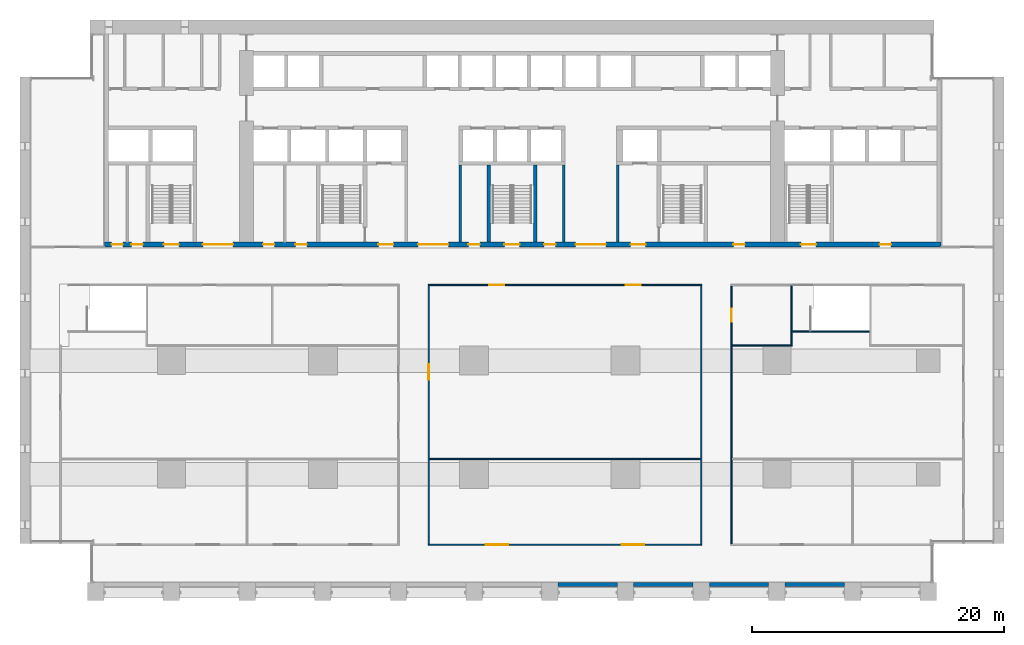
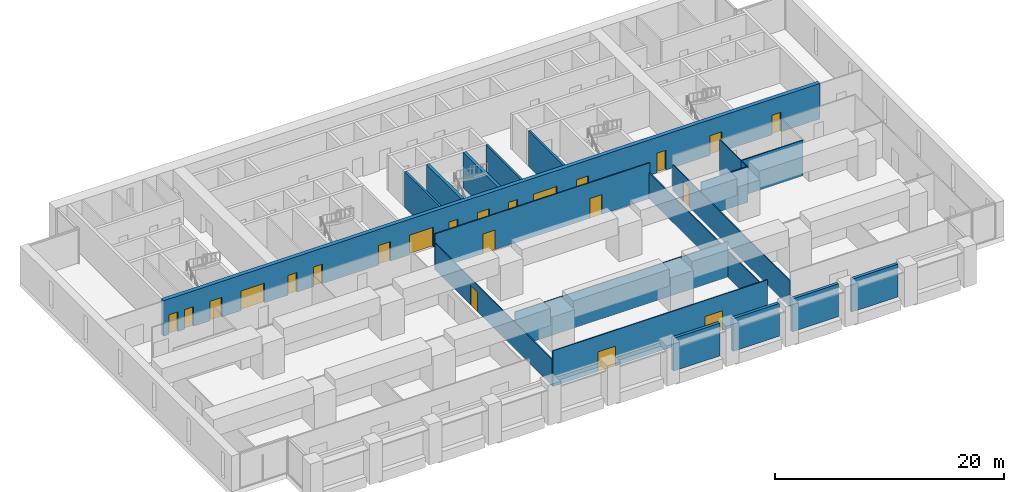
# One storey, part 8 of 17: 22 doors, 20 walls, 22 openings.
"""IFC4 building model written with IfcOpenShell, lengths in metres."""

from ifc_helpers import new_model, si_unit, direction, frame, frame_2d, origin, place, context, subcontext, project, spatial, rectangle, extrude, material, layer, layer_set, type_object, element, fill, save


model = new_model("IFC4")

# Units and contexts
model_context = context("Model", 3, precision=1e-05, world=origin(), true_north=direction((0.0, 1.0)))
body_context = subcontext(model_context, "Body", "Model", "MODEL_VIEW")
ifc_project = project(units=[si_unit("LENGTHUNIT", "METRE"), si_unit("AREAUNIT", "SQUARE_METRE"), si_unit("VOLUMEUNIT", "CUBIC_METRE"), si_unit("PLANEANGLEUNIT", "RADIAN"), si_unit("MASSUNIT", "GRAM", prefix="KILO")], contexts=[model_context])

# Site, building, storey
site_placement = place(None, origin())
site = spatial("IfcSite", under=ifc_project, at=site_placement, CompositionType="ELEMENT")
building_placement = place(site_placement, origin())
building = spatial("IfcBuilding", under=site, at=building_placement, Name="Calvaro Tower", CompositionType="ELEMENT")
storey_placement = place(building_placement, frame((0.0, 0.0, 17.89990234375)))
storey = spatial("IfcBuildingStorey", under=building, at=storey_placement, Name="L03", CompositionType="ELEMENT", Elevation=17.89990234375)

# Walls
ifc_material_1 = material(Name="Blockwork partition", Category="masonry")
ifc_layer_1 = layer(ifc_material_1, 0.199951171875)
ifc_layer_set_1 = layer_set([ifc_layer_1], Name="Blockwork partition")
wall_type_1 = type_object("IfcWallType", Name="Core partition 200 REI 120", PredefinedType="PARTITIONING", material=ifc_layer_set_1)
for number, where, z_axis, x_axis, name in (
    (1, (34.89990234375, 28.39990234375, 0.0), (0.0, 0.0, 1.0), (0.0, 1.0, 0.0), "Core partition"),
    (2, (43.10009765625, 28.39990234375, 0.0), (0.0, 0.0, 1.0), (0.0, 1.0, 0.0), "Core partition"),
    (3, (47.39990234375, 28.39990234375, 0.0), (0.0, 0.0, 1.0), (0.0, 1.0, 0.0), "Core partition"),
):
    element("IfcWall", number, at=place(storey_placement, frame(where, z_axis=z_axis, x_axis=x_axis)), inside=storey, type_object=wall_type_1, Name=name, PredefinedType="PARTITIONING", context=body_context, shape_type="SweptSolid", body=[
        extrude(rectangle(XDim=6.10009765625, YDim=0.199951171875, at=frame_2d((3.050048828125, 0.0))), origin(), (0.0, 0.0, 1.0), 3.800048828125),
    ])
ifc_material_2 = material(Name="Concrete C80/95", Category="concrete")
ifc_layer_2 = layer(ifc_material_2, 0.300048828125)
ifc_layer_set_2 = layer_set([ifc_layer_2], Name="Concrete C80/95")
wall_type_2 = type_object("IfcWallType", Name="Core wall C80/95 300", PredefinedType="SHEAR", material=ifc_layer_set_2)
for number, where, z_axis, x_axis, name in (
    (4, (37.14990234375, 28.39990234375, 0.0), (0.0, 0.0, 1.0), (0.0, 1.0, 0.0), "Core wall, stair enclosure"),
    (5, (40.85009765625, 28.39990234375, 0.0), (0.0, 0.0, 1.0), (0.0, 1.0, 0.0), "Core wall, stair enclosure"),
):
    element("IfcWall", number, at=place(storey_placement, frame(where, z_axis=z_axis, x_axis=x_axis)), inside=storey, type_object=wall_type_2, Name=name, PredefinedType="SHEAR", context=body_context, shape_type="SweptSolid", body=[
        extrude(rectangle(XDim=6.10009765625, YDim=0.300048828125, at=frame_2d((3.050048828125, 0.0))), origin(), (0.0, 0.0, 1.0), 3.800048828125),
    ])

# Wall, openings, doors
ifc_material_3 = material(Name="Concrete C80/95", Category="concrete")
ifc_layer_3 = layer(ifc_material_3, 0.39990234375)
ifc_layer_set_3 = layer_set([ifc_layer_3], Name="Concrete C80/95")
wall_type_3 = type_object("IfcWallType", Name="Core wall C80/95 400", PredefinedType="SHEAR", material=ifc_layer_set_3)
wall_1_placement = place(storey_placement, frame((6.699951171875, 28.199951171875, 0.0), z_axis=(0.0, 0.0, 1.0), x_axis=(1.0, 0.0, 0.0)))
wall_1 = element("IfcWall", 6, at=wall_1_placement, inside=storey, type_object=wall_type_3, Name="Core wall, front", PredefinedType="SHEAR", context=body_context, shape_type="SweptSolid", body=[
    extrude(rectangle(XDim=66.300048828125, YDim=0.39990234375, at=frame_2d((33.14990234375, 0.0))), origin(), (0.0, 0.0, 1.0), 3.800048828125),
])
opening_1_placement = place(wall_1_placement, frame((12.5625, 0.0, 0.0)))
opening_1 = element("IfcOpeningElement", 7, at=opening_1_placement, cuts=wall_1, Name="Opening RD9E", PredefinedType="OPENING", context=body_context, shape_type="SweptSolid", body=[
    extrude(rectangle(XDim=0.89990234375, YDim=2.10009765625, at=frame_2d((0.449951171875, 1.050048828125))), frame((0.0, 0.2099609375, 0.0), z_axis=(0.0, -1.0, 0.0), x_axis=(1.0, 0.0, 0.0)), (0.0, 0.0, 1.0), 0.419921875),
])
opening_2_placement = place(wall_1_placement, frame((15.137451171875, 0.0, 0.0)))
opening_2 = element("IfcOpeningElement", 8, at=opening_2_placement, cuts=wall_1, Name="Opening RD9C", PredefinedType="OPENING", context=body_context, shape_type="SweptSolid", body=[
    extrude(rectangle(XDim=0.89990234375, YDim=2.10009765625, at=frame_2d((0.449951171875, 1.050048828125))), frame((0.0, 0.2099609375, 0.0), z_axis=(0.0, -1.0, 0.0), x_axis=(1.0, 0.0, 0.0)), (0.0, 0.0, 1.0), 0.419921875),
])
opening_3_placement = place(wall_1_placement, frame((49.85009765625, 0.0, 0.0)))
opening_3 = element("IfcOpeningElement", 9, at=opening_3_placement, cuts=wall_1, Name="Opening RD9E", PredefinedType="OPENING", context=body_context, shape_type="SweptSolid", body=[
    extrude(rectangle(XDim=0.89990234375, YDim=2.10009765625, at=frame_2d((0.449951171875, 1.050048828125))), frame((0.0, 0.2099609375, 0.0), z_axis=(0.0, -1.0, 0.0), x_axis=(1.0, 0.0, 0.0)), (0.0, 0.0, 1.0), 0.419921875),
])
opening_4_placement = place(wall_1_placement, frame((0.5625, 0.0, 0.0)))
opening_4 = element("IfcOpeningElement", 10, at=opening_4_placement, cuts=wall_1, Name="Opening RD9C", PredefinedType="OPENING", context=body_context, shape_type="SweptSolid", body=[
    extrude(rectangle(XDim=0.89990234375, YDim=2.10009765625, at=frame_2d((0.449951171875, 1.050048828125))), frame((0.0, 0.2099609375, 0.0), z_axis=(0.0, -1.0, 0.0), x_axis=(1.0, 0.0, 0.0)), (0.0, 0.0, 1.0), 0.419921875),
])
opening_5_placement = place(wall_1_placement, frame((2.137451171875, 0.0, 0.0)))
opening_5 = element("IfcOpeningElement", 11, at=opening_5_placement, cuts=wall_1, Name="Opening RD9E", PredefinedType="OPENING", context=body_context, shape_type="SweptSolid", body=[
    extrude(rectangle(XDim=0.89990234375, YDim=2.10009765625, at=frame_2d((0.449951171875, 1.050048828125))), frame((0.0, 0.2099609375, 0.0), z_axis=(0.0, -1.0, 0.0), x_axis=(1.0, 0.0, 0.0)), (0.0, 0.0, 1.0), 0.419921875),
])
opening_6_placement = place(wall_1_placement, frame((61.449951171875, 0.0, 0.0)))
opening_6 = element("IfcOpeningElement", 12, at=opening_6_placement, cuts=wall_1, Name="Opening RD9C", PredefinedType="OPENING", context=body_context, shape_type="SweptSolid", body=[
    extrude(rectangle(XDim=0.89990234375, YDim=2.10009765625, at=frame_2d((0.449951171875, 1.050048828125))), frame((0.0, 0.2099609375, 0.0), z_axis=(0.0, -1.0, 0.0), x_axis=(1.0, 0.0, 0.0)), (0.0, 0.0, 1.0), 0.419921875),
])
opening_7_placement = place(wall_1_placement, frame((4.699951171875, 0.0, 0.0)))
opening_7 = element("IfcOpeningElement", 13, at=opening_7_placement, cuts=wall_1, Name="Opening SD12D", PredefinedType="OPENING", context=body_context, shape_type="SweptSolid", body=[
    extrude(rectangle(XDim=1.199951171875, YDim=2.10009765625, at=frame_2d((0.60009765625, 1.050048828125))), frame((0.0, 0.2099609375, 0.0), z_axis=(0.0, -1.0, 0.0), x_axis=(1.0, 0.0, 0.0)), (0.0, 0.0, 1.0), 0.419921875),
])
opening_8_placement = place(wall_1_placement, frame((31.699951171875, 0.0, 0.0)))
opening_8 = element("IfcOpeningElement", 14, at=opening_8_placement, cuts=wall_1, Name="Opening SD12D", PredefinedType="OPENING", context=body_context, shape_type="SweptSolid", body=[
    extrude(rectangle(XDim=1.199951171875, YDim=2.10009765625, at=frame_2d((0.60009765625, 1.050048828125))), frame((0.0, 0.2099609375, 0.0), z_axis=(0.0, -1.0, 0.0), x_axis=(1.0, 0.0, 0.0)), (0.0, 0.0, 1.0), 0.419921875),
])
opening_9_placement = place(wall_1_placement, frame((55.199951171875, 0.0, 0.0)))
opening_9 = element("IfcOpeningElement", 15, at=opening_9_placement, cuts=wall_1, Name="Opening SD12D", PredefinedType="OPENING", context=body_context, shape_type="SweptSolid", body=[
    extrude(rectangle(XDim=1.199951171875, YDim=2.10009765625, at=frame_2d((0.60009765625, 1.050048828125))), frame((0.0, 0.2099609375, 0.0), z_axis=(0.0, -1.0, 0.0), x_axis=(1.0, 0.0, 0.0)), (0.0, 0.0, 1.0), 0.419921875),
])
opening_10_placement = place(wall_1_placement, frame((21.699951171875, 0.0, 0.0)))
opening_10 = element("IfcOpeningElement", 16, at=opening_10_placement, cuts=wall_1, Name="Opening FD12F", PredefinedType="OPENING", context=body_context, shape_type="SweptSolid", body=[
    extrude(rectangle(XDim=1.199951171875, YDim=2.10009765625, at=frame_2d((0.60009765625, 1.050048828125))), frame((0.0, 0.2099609375, 0.0), z_axis=(0.0, -1.0, 0.0), x_axis=(1.0, 0.0, 0.0)), (0.0, 0.0, 1.0), 0.419921875),
])
opening_11_placement = place(wall_1_placement, frame((41.699951171875, 0.0, 0.0)))
opening_11 = element("IfcOpeningElement", 17, at=opening_11_placement, cuts=wall_1, Name="Opening FD12F", PredefinedType="OPENING", context=body_context, shape_type="SweptSolid", body=[
    extrude(rectangle(XDim=1.199951171875, YDim=2.10009765625, at=frame_2d((0.60009765625, 1.050048828125))), frame((0.0, 0.2099609375, 0.0), z_axis=(0.0, -1.0, 0.0), x_axis=(1.0, 0.0, 0.0)), (0.0, 0.0, 1.0), 0.419921875),
])
opening_12_placement = place(wall_1_placement, frame((24.85009765625, 0.0, 0.0)))
opening_12 = element("IfcOpeningElement", 18, at=opening_12_placement, cuts=wall_1, Name="Opening DD24D", PredefinedType="OPENING", context=body_context, shape_type="SweptSolid", body=[
    extrude(rectangle(XDim=2.39990234375, YDim=2.10009765625, at=frame_2d((1.199951171875, 1.050048828125))), frame((0.0, 0.2099609375, 0.0), z_axis=(0.0, -1.0, 0.0), x_axis=(1.0, 0.0, 0.0)), (0.0, 0.0, 1.0), 0.419921875),
])
opening_13_placement = place(wall_1_placement, frame((37.35009765625, 0.0, 0.0)))
opening_13 = element("IfcOpeningElement", 19, at=opening_13_placement, cuts=wall_1, Name="Opening DD24D", PredefinedType="OPENING", context=body_context, shape_type="SweptSolid", body=[
    extrude(rectangle(XDim=2.39990234375, YDim=2.10009765625, at=frame_2d((1.199951171875, 1.050048828125))), frame((0.0, 0.2099609375, 0.0), z_axis=(0.0, -1.0, 0.0), x_axis=(1.0, 0.0, 0.0)), (0.0, 0.0, 1.0), 0.419921875),
])
opening_14_placement = place(wall_1_placement, frame((7.800048828125, 0.0, 0.0)))
opening_14 = element("IfcOpeningElement", 20, at=opening_14_placement, cuts=wall_1, Name="Opening DD24D", PredefinedType="OPENING", context=body_context, shape_type="SweptSolid", body=[
    extrude(rectangle(XDim=2.39990234375, YDim=2.10009765625, at=frame_2d((1.199951171875, 1.050048828125))), frame((0.0, 0.2099609375, 0.0), z_axis=(0.0, -1.0, 0.0), x_axis=(1.0, 0.0, 0.0)), (0.0, 0.0, 1.0), 0.419921875),
])
opening_15_placement = place(wall_1_placement, frame((28.85009765625, 0.0, 0.0)))
opening_15 = element("IfcOpeningElement", 21, at=opening_15_placement, cuts=wall_1, Name="Opening RD9E", PredefinedType="OPENING", context=body_context, shape_type="SweptSolid", body=[
    extrude(rectangle(XDim=0.89990234375, YDim=2.10009765625, at=frame_2d((0.449951171875, 1.050048828125))), frame((0.0, 0.2099609375, 0.0), z_axis=(0.0, -1.0, 0.0), x_axis=(1.0, 0.0, 0.0)), (0.0, 0.0, 1.0), 0.419921875),
])
opening_16_placement = place(wall_1_placement, frame((34.85009765625, 0.0, 0.0)))
opening_16 = element("IfcOpeningElement", 22, at=opening_16_placement, cuts=wall_1, Name="Opening RD9E", PredefinedType="OPENING", context=body_context, shape_type="SweptSolid", body=[
    extrude(rectangle(XDim=0.89990234375, YDim=2.10009765625, at=frame_2d((0.449951171875, 1.050048828125))), frame((0.0, 0.2099609375, 0.0), z_axis=(0.0, -1.0, 0.0), x_axis=(1.0, 0.0, 0.0)), (0.0, 0.0, 1.0), 0.419921875),
])
ifc_material_4 = material(Name="Steel door set", Category="steel")
door_type_1 = type_object("IfcDoorType", Name="Fire door 1200 FD60S", OperationType="SINGLE_SWING_LEFT", PredefinedType="DOOR", material=ifc_material_4)
door_1_placement = place(opening_10_placement, origin())
door_1 = element("IfcDoor", 23, at=door_1_placement, inside=storey, type_object=door_type_1, Name="Fire door", OperationType="SINGLE_SWING_LEFT", OverallHeight=2.10009765625, OverallWidth=1.199951171875, PredefinedType="DOOR", context=body_context, shape_type="SweptSolid", body=[
    extrude(rectangle(XDim=1.199951171875, YDim=2.10009765625, at=frame_2d((0.60009765625, 1.050048828125))), frame((0.0, 0.02490234375, 0.0), z_axis=(0.0, -1.0, 0.0), x_axis=(1.0, 0.0, 0.0)), (0.0, 0.0, 1.0), 0.050048828125),
])
fill(opening_10, door_1)
door_2_placement = place(opening_11_placement, origin())
door_2 = element("IfcDoor", 24, at=door_2_placement, inside=storey, type_object=door_type_1, Name="Fire door", OperationType="SINGLE_SWING_LEFT", OverallHeight=2.10009765625, OverallWidth=1.199951171875, PredefinedType="DOOR", context=body_context, shape_type="SweptSolid", body=[
    extrude(rectangle(XDim=1.199951171875, YDim=2.10009765625, at=frame_2d((0.60009765625, 1.050048828125))), frame((0.0, 0.02490234375, 0.0), z_axis=(0.0, -1.0, 0.0), x_axis=(1.0, 0.0, 0.0)), (0.0, 0.0, 1.0), 0.050048828125),
])
fill(opening_11, door_2)
ifc_material_5 = material(Name="Steel door set", Category="steel")
door_type_2 = type_object("IfcDoorType", Name="Lobby double door 2400 FD30S", OperationType="DOUBLE_DOOR_SINGLE_SWING", PredefinedType="DOOR", material=ifc_material_5)
door_3_placement = place(opening_12_placement, origin())
door_3 = element("IfcDoor", 25, at=door_3_placement, inside=storey, type_object=door_type_2, Name="Lobby double door", OperationType="DOUBLE_DOOR_SINGLE_SWING", OverallHeight=2.10009765625, OverallWidth=2.39990234375, PredefinedType="DOOR", context=body_context, shape_type="SweptSolid", body=[
    extrude(rectangle(XDim=2.39990234375, YDim=2.10009765625, at=frame_2d((1.199951171875, 1.050048828125))), frame((0.0, 0.02490234375, 0.0), z_axis=(0.0, -1.0, 0.0), x_axis=(1.0, 0.0, 0.0)), (0.0, 0.0, 1.0), 0.050048828125),
])
fill(opening_12, door_3)
door_4_placement = place(opening_13_placement, origin())
door_4 = element("IfcDoor", 26, at=door_4_placement, inside=storey, type_object=door_type_2, Name="Lobby double door", OperationType="DOUBLE_DOOR_SINGLE_SWING", OverallHeight=2.10009765625, OverallWidth=2.39990234375, PredefinedType="DOOR", context=body_context, shape_type="SweptSolid", body=[
    extrude(rectangle(XDim=2.39990234375, YDim=2.10009765625, at=frame_2d((1.199951171875, 1.050048828125))), frame((0.0, 0.02490234375, 0.0), z_axis=(0.0, -1.0, 0.0), x_axis=(1.0, 0.0, 0.0)), (0.0, 0.0, 1.0), 0.050048828125),
])
fill(opening_13, door_4)
door_5_placement = place(opening_14_placement, origin())
door_5 = element("IfcDoor", 27, at=door_5_placement, inside=storey, type_object=door_type_2, Name="Lobby double door", OperationType="DOUBLE_DOOR_SINGLE_SWING", OverallHeight=2.10009765625, OverallWidth=2.39990234375, PredefinedType="DOOR", context=body_context, shape_type="SweptSolid", body=[
    extrude(rectangle(XDim=2.39990234375, YDim=2.10009765625, at=frame_2d((1.199951171875, 1.050048828125))), frame((0.0, 0.02490234375, 0.0), z_axis=(0.0, -1.0, 0.0), x_axis=(1.0, 0.0, 0.0)), (0.0, 0.0, 1.0), 0.050048828125),
])
fill(opening_14, door_5)
ifc_material_6 = material(Name="Steel door set", Category="steel")
door_type_3 = type_object("IfcDoorType", Name="Room door 900 FD30", OperationType="SINGLE_SWING_LEFT", PredefinedType="DOOR", material=ifc_material_6)
door_6_placement = place(opening_2_placement, origin())
door_6 = element("IfcDoor", 28, at=door_6_placement, inside=storey, type_object=door_type_3, Name="Room door", OperationType="SINGLE_SWING_RIGHT", OverallHeight=2.10009765625, OverallWidth=0.89990234375, PredefinedType="DOOR", context=body_context, shape_type="SweptSolid", body=[
    extrude(rectangle(XDim=0.89990234375, YDim=2.10009765625, at=frame_2d((0.449951171875, 1.050048828125))), frame((0.0, 0.02490234375, 0.0), z_axis=(0.0, -1.0, 0.0), x_axis=(1.0, 0.0, 0.0)), (0.0, 0.0, 1.0), 0.050048828125),
])
fill(opening_2, door_6)
door_7_placement = place(opening_4_placement, origin())
door_7 = element("IfcDoor", 29, at=door_7_placement, inside=storey, type_object=door_type_3, Name="Room door", OperationType="SINGLE_SWING_LEFT", OverallHeight=2.10009765625, OverallWidth=0.89990234375, PredefinedType="DOOR", context=body_context, shape_type="SweptSolid", body=[
    extrude(rectangle(XDim=0.89990234375, YDim=2.10009765625, at=frame_2d((0.449951171875, 1.050048828125))), frame((0.0, 0.02490234375, 0.0), z_axis=(0.0, -1.0, 0.0), x_axis=(1.0, 0.0, 0.0)), (0.0, 0.0, 1.0), 0.050048828125),
])
fill(opening_4, door_7)
door_8_placement = place(opening_6_placement, origin())
door_8 = element("IfcDoor", 30, at=door_8_placement, inside=storey, type_object=door_type_3, Name="Room door", OperationType="SINGLE_SWING_LEFT", OverallHeight=2.10009765625, OverallWidth=0.89990234375, PredefinedType="DOOR", context=body_context, shape_type="SweptSolid", body=[
    extrude(rectangle(XDim=0.89990234375, YDim=2.10009765625, at=frame_2d((0.449951171875, 1.050048828125))), frame((0.0, 0.02490234375, 0.0), z_axis=(0.0, -1.0, 0.0), x_axis=(1.0, 0.0, 0.0)), (0.0, 0.0, 1.0), 0.050048828125),
])
fill(opening_6, door_8)
ifc_material_7 = material(Name="Steel door set", Category="steel")
door_type_4 = type_object("IfcDoorType", Name="Room door 900 FD60", OperationType="SINGLE_SWING_LEFT", PredefinedType="DOOR", material=ifc_material_7)
door_9_placement = place(opening_1_placement, origin())
door_9 = element("IfcDoor", 31, at=door_9_placement, inside=storey, type_object=door_type_4, Name="Room door", OperationType="SINGLE_SWING_LEFT", OverallHeight=2.10009765625, OverallWidth=0.89990234375, PredefinedType="DOOR", context=body_context, shape_type="SweptSolid", body=[
    extrude(rectangle(XDim=0.89990234375, YDim=2.10009765625, at=frame_2d((0.449951171875, 1.050048828125))), frame((0.0, 0.02490234375, 0.0), z_axis=(0.0, -1.0, 0.0), x_axis=(1.0, 0.0, 0.0)), (0.0, 0.0, 1.0), 0.050048828125),
])
fill(opening_1, door_9)
door_10_placement = place(opening_3_placement, origin())
door_10 = element("IfcDoor", 32, at=door_10_placement, inside=storey, type_object=door_type_4, Name="Room door", OperationType="SINGLE_SWING_LEFT", OverallHeight=2.10009765625, OverallWidth=0.89990234375, PredefinedType="DOOR", context=body_context, shape_type="SweptSolid", body=[
    extrude(rectangle(XDim=0.89990234375, YDim=2.10009765625, at=frame_2d((0.449951171875, 1.050048828125))), frame((0.0, 0.02490234375, 0.0), z_axis=(0.0, -1.0, 0.0), x_axis=(1.0, 0.0, 0.0)), (0.0, 0.0, 1.0), 0.050048828125),
])
fill(opening_3, door_10)
door_11_placement = place(opening_5_placement, origin())
door_11 = element("IfcDoor", 33, at=door_11_placement, inside=storey, type_object=door_type_4, Name="Room door", OperationType="SINGLE_SWING_LEFT", OverallHeight=2.10009765625, OverallWidth=0.89990234375, PredefinedType="DOOR", context=body_context, shape_type="SweptSolid", body=[
    extrude(rectangle(XDim=0.89990234375, YDim=2.10009765625, at=frame_2d((0.449951171875, 1.050048828125))), frame((0.0, 0.02490234375, 0.0), z_axis=(0.0, -1.0, 0.0), x_axis=(1.0, 0.0, 0.0)), (0.0, 0.0, 1.0), 0.050048828125),
])
fill(opening_5, door_11)
door_12_placement = place(opening_15_placement, origin())
door_12 = element("IfcDoor", 34, at=door_12_placement, inside=storey, type_object=door_type_4, Name="Room door", OperationType="SINGLE_SWING_LEFT", OverallHeight=2.10009765625, OverallWidth=0.89990234375, PredefinedType="DOOR", context=body_context, shape_type="SweptSolid", body=[
    extrude(rectangle(XDim=0.89990234375, YDim=2.10009765625, at=frame_2d((0.449951171875, 1.050048828125))), frame((0.0, 0.02490234375, 0.0), z_axis=(0.0, -1.0, 0.0), x_axis=(1.0, 0.0, 0.0)), (0.0, 0.0, 1.0), 0.050048828125),
])
fill(opening_15, door_12)
door_13_placement = place(opening_16_placement, origin())
door_13 = element("IfcDoor", 35, at=door_13_placement, inside=storey, type_object=door_type_4, Name="Room door", OperationType="SINGLE_SWING_LEFT", OverallHeight=2.10009765625, OverallWidth=0.89990234375, PredefinedType="DOOR", context=body_context, shape_type="SweptSolid", body=[
    extrude(rectangle(XDim=0.89990234375, YDim=2.10009765625, at=frame_2d((0.449951171875, 1.050048828125))), frame((0.0, 0.02490234375, 0.0), z_axis=(0.0, -1.0, 0.0), x_axis=(1.0, 0.0, 0.0)), (0.0, 0.0, 1.0), 0.050048828125),
])
fill(opening_16, door_13)
ifc_material_8 = material(Name="Steel door set", Category="steel")
door_type_5 = type_object("IfcDoorType", Name="Stair door 1200 FD30S", OperationType="SINGLE_SWING_LEFT", PredefinedType="DOOR", material=ifc_material_8)
door_14_placement = place(opening_7_placement, origin())
door_14 = element("IfcDoor", 36, at=door_14_placement, inside=storey, type_object=door_type_5, Name="Stair door", OperationType="SINGLE_SWING_LEFT", OverallHeight=2.10009765625, OverallWidth=1.199951171875, PredefinedType="DOOR", context=body_context, shape_type="SweptSolid", body=[
    extrude(rectangle(XDim=1.199951171875, YDim=2.10009765625, at=frame_2d((0.60009765625, 1.050048828125))), frame((0.0, 0.02490234375, 0.0), z_axis=(0.0, -1.0, 0.0), x_axis=(1.0, 0.0, 0.0)), (0.0, 0.0, 1.0), 0.050048828125),
])
fill(opening_7, door_14)
door_15_placement = place(opening_8_placement, origin())
door_15 = element("IfcDoor", 37, at=door_15_placement, inside=storey, type_object=door_type_5, Name="Stair door", OperationType="SINGLE_SWING_LEFT", OverallHeight=2.10009765625, OverallWidth=1.199951171875, PredefinedType="DOOR", context=body_context, shape_type="SweptSolid", body=[
    extrude(rectangle(XDim=1.199951171875, YDim=2.10009765625, at=frame_2d((0.60009765625, 1.050048828125))), frame((0.0, 0.02490234375, 0.0), z_axis=(0.0, -1.0, 0.0), x_axis=(1.0, 0.0, 0.0)), (0.0, 0.0, 1.0), 0.050048828125),
])
fill(opening_8, door_15)
door_16_placement = place(opening_9_placement, origin())
door_16 = element("IfcDoor", 38, at=door_16_placement, inside=storey, type_object=door_type_5, Name="Stair door", OperationType="SINGLE_SWING_LEFT", OverallHeight=2.10009765625, OverallWidth=1.199951171875, PredefinedType="DOOR", context=body_context, shape_type="SweptSolid", body=[
    extrude(rectangle(XDim=1.199951171875, YDim=2.10009765625, at=frame_2d((0.60009765625, 1.050048828125))), frame((0.0, 0.02490234375, 0.0), z_axis=(0.0, -1.0, 0.0), x_axis=(1.0, 0.0, 0.0)), (0.0, 0.0, 1.0), 0.050048828125),
])
fill(opening_9, door_16)

ifc_material_9 = material(Name="Plasterboard on steel studs", Category="steel")
ifc_layer_4 = layer(ifc_material_9, 0.10009765625)
ifc_layer_set_4 = layer_set([ifc_layer_4], Name="Plasterboard on steel studs")
wall_type_4 = type_object("IfcWallType", Name="Partition 100", PredefinedType="PARTITIONING", material=ifc_layer_set_4)
wall_2_placement = place(storey_placement, frame((32.35009765625, 4.39990234375, 0.0), z_axis=(0.0, 0.0, 1.0), x_axis=(1.0, 0.0, 0.0)))
wall_2 = element("IfcWall", 39, at=wall_2_placement, inside=storey, type_object=wall_type_4, Name="Partition T06.W002", PredefinedType="PARTITIONING", context=body_context, shape_type="SweptSolid", body=[
    extrude(rectangle(XDim=21.699951171875, YDim=0.10009765625, at=frame_2d((10.85009765625, 0.0))), origin(), (0.0, 0.0, 1.0), 3.800048828125),
])
opening_17_placement = place(wall_2_placement, frame((4.550048828125, 0.0, 0.0)))
opening_17 = element("IfcOpeningElement", 40, at=opening_17_placement, cuts=wall_2, Name="Opening T06.005", PredefinedType="OPENING", context=body_context, shape_type="SweptSolid", body=[
    extrude(rectangle(XDim=1.800048828125, YDim=2.10009765625, at=frame_2d((0.89990234375, 1.050048828125))), frame((0.0, 0.06005859375, 0.0), z_axis=(0.0, -1.0, 0.0), x_axis=(1.0, 0.0, 0.0)), (0.0, 0.0, 1.0), 0.1201171875),
])
opening_18_placement = place(wall_2_placement, frame((15.35009765625, 0.0, 0.0)))
opening_18 = element("IfcOpeningElement", 41, at=opening_18_placement, cuts=wall_2, Name="Opening T06.006", PredefinedType="OPENING", context=body_context, shape_type="SweptSolid", body=[
    extrude(rectangle(XDim=1.800048828125, YDim=2.10009765625, at=frame_2d((0.89990234375, 1.050048828125))), frame((0.0, 0.06005859375, 0.0), z_axis=(0.0, -1.0, 0.0), x_axis=(1.0, 0.0, 0.0)), (0.0, 0.0, 1.0), 0.1201171875),
])
ifc_material_10 = material(Name="Timber", Category="wood")
door_type_6 = type_object("IfcDoorType", Name="Internal double door 1800 x 2100", OperationType="DOUBLE_DOOR_SINGLE_SWING", PredefinedType="DOOR", material=ifc_material_10)
door_17_placement = place(opening_17_placement, origin())
door_17 = element("IfcDoor", 42, at=door_17_placement, inside=storey, type_object=door_type_6, Name="Door T06.005", OperationType="DOUBLE_DOOR_SINGLE_SWING", OverallHeight=2.10009765625, OverallWidth=1.800048828125, PredefinedType="DOOR", context=body_context, shape_type="SweptSolid", body=[
    extrude(rectangle(XDim=1.800048828125, YDim=2.10009765625, at=frame_2d((0.89990234375, 1.050048828125))), frame((0.0, 0.02490234375, 0.0), z_axis=(0.0, -1.0, 0.0), x_axis=(1.0, 0.0, 0.0)), (0.0, 0.0, 1.0), 0.050048828125),
])
fill(opening_17, door_17)
door_18_placement = place(opening_18_placement, origin())
door_18 = element("IfcDoor", 43, at=door_18_placement, inside=storey, type_object=door_type_6, Name="Door T06.006", OperationType="DOUBLE_DOOR_SINGLE_SWING", OverallHeight=2.10009765625, OverallWidth=1.800048828125, PredefinedType="DOOR", context=body_context, shape_type="SweptSolid", body=[
    extrude(rectangle(XDim=1.800048828125, YDim=2.10009765625, at=frame_2d((0.89990234375, 1.050048828125))), frame((0.0, 0.02490234375, 0.0), z_axis=(0.0, -1.0, 0.0), x_axis=(1.0, 0.0, 0.0)), (0.0, 0.0, 1.0), 0.050048828125),
])
fill(opening_18, door_18)

# Walls
wall_3_placement = place(storey_placement, frame((32.449951171875, 11.199951171875, 0.0), z_axis=(0.0, 0.0, 1.0), x_axis=(1.0, 0.0, 0.0)))
element("IfcWall", 44, at=wall_3_placement, inside=storey, type_object=wall_type_4, Name="Partition T06.W005", PredefinedType="PARTITIONING", context=body_context, shape_type="SweptSolid", body=[
    extrude(rectangle(XDim=21.5, YDim=0.10009765625, at=frame_2d((10.75, 0.0))), origin(), (0.0, 0.0, 1.0), 3.800048828125),
])
wall_4_placement = place(storey_placement, frame((56.449951171875, 20.199951171875, 0.0), z_axis=(0.0, 0.0, 1.0), x_axis=(1.0, 0.0, 0.0)))
element("IfcWall", 45, at=wall_4_placement, inside=storey, type_object=wall_type_4, Name="Partition T06.W008", PredefinedType="PARTITIONING", context=body_context, shape_type="SweptSolid", body=[
    extrude(rectangle(XDim=4.75, YDim=0.10009765625, at=frame_2d((2.375, 0.0))), origin(), (0.0, 0.0, 1.0), 3.800048828125),
])

# Wall, openings, doors
wall_5_placement = place(storey_placement, frame((32.35009765625, 25.0, 0.0), z_axis=(0.0, 0.0, 1.0), x_axis=(1.0, 0.0, 0.0)))
wall_5 = element("IfcWall", 46, at=wall_5_placement, inside=storey, type_object=wall_type_4, Name="Partition T06.W014", PredefinedType="PARTITIONING", context=body_context, shape_type="SweptSolid", body=[
    extrude(rectangle(XDim=21.699951171875, YDim=0.10009765625, at=frame_2d((10.85009765625, 0.0))), origin(), (0.0, 0.0, 1.0), 3.800048828125),
])
opening_19_placement = place(wall_5_placement, frame((4.85009765625, 0.0, 0.0)))
opening_19 = element("IfcOpeningElement", 47, at=opening_19_placement, cuts=wall_5, Name="Opening T06.015", PredefinedType="OPENING", context=body_context, shape_type="SweptSolid", body=[
    extrude(rectangle(XDim=1.199951171875, YDim=2.10009765625, at=frame_2d((0.60009765625, 1.050048828125))), frame((0.0, 0.06005859375, 0.0), z_axis=(0.0, -1.0, 0.0), x_axis=(1.0, 0.0, 0.0)), (0.0, 0.0, 1.0), 0.1201171875),
])
opening_20_placement = place(wall_5_placement, frame((15.64990234375, 0.0, 0.0)))
opening_20 = element("IfcOpeningElement", 48, at=opening_20_placement, cuts=wall_5, Name="Opening T06.016", PredefinedType="OPENING", context=body_context, shape_type="SweptSolid", body=[
    extrude(rectangle(XDim=1.199951171875, YDim=2.10009765625, at=frame_2d((0.60009765625, 1.050048828125))), frame((0.0, 0.06005859375, 0.0), z_axis=(0.0, -1.0, 0.0), x_axis=(1.0, 0.0, 0.0)), (0.0, 0.0, 1.0), 0.1201171875),
])
ifc_material_11 = material(Name="Timber", Category="wood")
door_type_7 = type_object("IfcDoorType", Name="Internal single door 1200 x 2100", OperationType="SINGLE_SWING_LEFT", PredefinedType="DOOR", material=ifc_material_11)
door_19_placement = place(opening_19_placement, origin())
door_19 = element("IfcDoor", 49, at=door_19_placement, inside=storey, type_object=door_type_7, Name="Door T06.015", OperationType="SINGLE_SWING_LEFT", OverallHeight=2.10009765625, OverallWidth=1.199951171875, PredefinedType="DOOR", context=body_context, shape_type="SweptSolid", body=[
    extrude(rectangle(XDim=1.199951171875, YDim=2.10009765625, at=frame_2d((0.60009765625, 1.050048828125))), frame((0.0, 0.02490234375, 0.0), z_axis=(0.0, -1.0, 0.0), x_axis=(1.0, 0.0, 0.0)), (0.0, 0.0, 1.0), 0.050048828125),
])
fill(opening_19, door_19)
door_20_placement = place(opening_20_placement, origin())
door_20 = element("IfcDoor", 50, at=door_20_placement, inside=storey, type_object=door_type_7, Name="Door T06.016", OperationType="SINGLE_SWING_RIGHT", OverallHeight=2.10009765625, OverallWidth=1.199951171875, PredefinedType="DOOR", context=body_context, shape_type="SweptSolid", body=[
    extrude(rectangle(XDim=1.199951171875, YDim=2.10009765625, at=frame_2d((0.60009765625, 1.050048828125))), frame((0.0, 0.02490234375, 0.0), z_axis=(0.0, -1.0, 0.0), x_axis=(1.0, 0.0, 0.0)), (0.0, 0.0, 1.0), 0.050048828125),
])
fill(opening_20, door_20)

# Wall, opening, door
wall_6_placement = place(storey_placement, frame((32.39990234375, 4.449951171875, 0.0), z_axis=(0.0, 0.0, 1.0), x_axis=(0.0, 1.0, 0.0)))
wall_6 = element("IfcWall", 51, at=wall_6_placement, inside=storey, type_object=wall_type_4, Name="Partition T06.W026", PredefinedType="PARTITIONING", context=body_context, shape_type="SweptSolid", body=[
    extrude(rectangle(XDim=20.5, YDim=0.10009765625, at=frame_2d((10.25, 0.0))), origin(), (0.0, 0.0, 1.0), 2.800048828125),
])
opening_21_placement = place(wall_6_placement, frame((13.050048828125, 0.0, 0.0)))
opening_21 = element("IfcOpeningElement", 52, at=opening_21_placement, cuts=wall_6, Name="Opening T06.014", PredefinedType="OPENING", context=body_context, shape_type="SweptSolid", body=[
    extrude(rectangle(XDim=1.199951171875, YDim=2.10009765625, at=frame_2d((0.60009765625, 1.050048828125))), frame((0.0, 0.06005859375, 0.0), z_axis=(0.0, -1.0, 0.0), x_axis=(1.0, 0.0, 0.0)), (0.0, 0.0, 1.0), 0.1201171875),
])
door_21_placement = place(opening_21_placement, origin())
door_21 = element("IfcDoor", 53, at=door_21_placement, inside=storey, type_object=door_type_7, Name="Door T06.014", OperationType="SINGLE_SWING_RIGHT", OverallHeight=2.10009765625, OverallWidth=1.199951171875, PredefinedType="DOOR", context=body_context, shape_type="SweptSolid", body=[
    extrude(rectangle(XDim=1.199951171875, YDim=2.10009765625, at=frame_2d((0.60009765625, 1.050048828125))), frame((0.0, 0.02490234375, 0.0), z_axis=(0.0, -1.0, 0.0), x_axis=(1.0, 0.0, 0.0)), (0.0, 0.0, 1.0), 0.050048828125),
])
fill(opening_21, door_21)

# Wall
wall_7_placement = place(storey_placement, frame((54.0, 4.449951171875, 0.0), z_axis=(0.0, 0.0, 1.0), x_axis=(0.0, 1.0, 0.0)))
element("IfcWall", 54, at=wall_7_placement, inside=storey, type_object=wall_type_4, Name="Partition T06.W027", PredefinedType="PARTITIONING", context=body_context, shape_type="SweptSolid", body=[
    extrude(rectangle(XDim=20.5, YDim=0.10009765625, at=frame_2d((10.25, 0.0))), origin(), (0.0, 0.0, 1.0), 2.800048828125),
])

# Wall, opening, door
wall_8_placement = place(storey_placement, frame((56.39990234375, 4.449951171875, 0.0), z_axis=(0.0, 0.0, 1.0), x_axis=(0.0, 1.0, 0.0)))
wall_8 = element("IfcWall", 55, at=wall_8_placement, inside=storey, type_object=wall_type_4, Name="Partition T06.W028", PredefinedType="PARTITIONING", context=body_context, shape_type="SweptSolid", body=[
    extrude(rectangle(XDim=20.5, YDim=0.10009765625, at=frame_2d((10.25, 0.0))), origin(), (0.0, 0.0, 1.0), 2.800048828125),
])
opening_22_placement = place(wall_8_placement, frame((17.64990234375, 0.0, 0.0)))
opening_22 = element("IfcOpeningElement", 56, at=opening_22_placement, cuts=wall_8, Name="Opening T06.019", PredefinedType="OPENING", context=body_context, shape_type="SweptSolid", body=[
    extrude(rectangle(XDim=1.0, YDim=2.10009765625, at=frame_2d((0.5, 1.050048828125))), frame((0.0, 0.06005859375, 0.0), z_axis=(0.0, -1.0, 0.0), x_axis=(1.0, 0.0, 0.0)), (0.0, 0.0, 1.0), 0.1201171875),
])
ifc_material_12 = material(Name="Timber", Category="wood")
door_type_8 = type_object("IfcDoorType", Name="Internal single door 1000 x 2100", OperationType="SINGLE_SWING_LEFT", PredefinedType="DOOR", material=ifc_material_12)
door_22_placement = place(opening_22_placement, origin())
door_22 = element("IfcDoor", 57, at=door_22_placement, inside=storey, type_object=door_type_8, Name="Door T06.019", OperationType="SINGLE_SWING_RIGHT", OverallHeight=2.10009765625, OverallWidth=1.0, PredefinedType="DOOR", context=body_context, shape_type="SweptSolid", body=[
    extrude(rectangle(XDim=1.0, YDim=2.10009765625, at=frame_2d((0.5, 1.050048828125))), frame((0.0, 0.02490234375, 0.0), z_axis=(0.0, -1.0, 0.0), x_axis=(1.0, 0.0, 0.0)), (0.0, 0.0, 1.0), 0.050048828125),
])
fill(opening_22, door_22)

# Walls
wall_9_placement = place(storey_placement, frame((61.14990234375, 20.25, 0.0), z_axis=(0.0, 0.0, 1.0), x_axis=(0.0, 1.0, 0.0)))
element("IfcWall", 58, at=wall_9_placement, inside=storey, type_object=wall_type_4, Name="Partition T06.W029", PredefinedType="PARTITIONING", context=body_context, shape_type="SweptSolid", body=[
    extrude(rectangle(XDim=1.010009765625, YDim=0.10009765625, at=frame_2d((0.5048828125, 0.0))), origin(), (0.0, 0.0, 1.0), 3.800048828125),
])
ifc_material_13 = material(Name="Concrete C40/50", Category="concrete")
ifc_layer_5 = layer(ifc_material_13, 0.10009765625)
ifc_layer_set_5 = layer_set([ifc_layer_5], Name="Concrete C40/50")
wall_type_5 = type_object("IfcWallType", Name="Stair enclosure wall 100", PredefinedType="SOLIDWALL", material=ifc_layer_set_5)
wall_10_placement = place(storey_placement, frame((61.199951171875, 21.300048828125, 0.0), z_axis=(0.0, 0.0, 1.0), x_axis=(1.0, 0.0, 0.0)))
element("IfcWall", 59, at=wall_10_placement, inside=storey, type_object=wall_type_5, Name="Stair enclosure wall T06.W011", PredefinedType="SOLIDWALL", context=body_context, shape_type="SweptSolid", body=[
    extrude(rectangle(XDim=6.150146484375, YDim=0.10009765625, at=frame_2d((3.0751953125, 0.0))), origin(), (0.0, 0.0, 1.0), 3.800048828125),
])
wall_11_placement = place(storey_placement, frame((61.14990234375, 21.260009765625, 0.0), z_axis=(0.0, 0.0, 1.0), x_axis=(0.0, 1.0, 0.0)))
element("IfcWall", 60, at=wall_11_placement, inside=storey, type_object=wall_type_5, Name="Stair enclosure wall T06.W030", PredefinedType="SOLIDWALL", context=body_context, shape_type="SweptSolid", body=[
    extrude(rectangle(XDim=3.68994140625, YDim=0.10009765625, at=frame_2d((1.844970703125, 0.0))), origin(), (0.0, 0.0, 1.0), 3.800048828125),
])
ifc_material_14 = material(Name="Stone faced masonry", Category="masonry")
ifc_layer_6 = layer(ifc_material_14, 0.300048828125)
ifc_layer_set_6 = layer_set([ifc_layer_6], Name="Stone faced masonry")
wall_type_6 = type_object("IfcWallType", Name="Stone faced wall 300", PredefinedType="SOLIDWALL", material=ifc_layer_set_6)
for number, where, z_axis, x_axis, name in (
    (61, (42.64990234375, 1.25, 0.0), (0.0, 0.0, 1.0), (1.0, 0.0, 0.0), "Stone faced wall"),
    (62, (48.64990234375, 1.25, 0.0), (0.0, 0.0, 1.0), (1.0, 0.0, 0.0), "Stone faced wall"),
    (63, (54.64990234375, 1.25, 0.0), (0.0, 0.0, 1.0), (1.0, 0.0, 0.0), "Stone faced wall"),
    (64, (60.64990234375, 1.25, 0.0), (0.0, 0.0, 1.0), (1.0, 0.0, 0.0), "Stone faced wall"),
):
    element("IfcWall", number, at=place(storey_placement, frame(where, z_axis=z_axis, x_axis=x_axis)), inside=storey, type_object=wall_type_6, Name=name, PredefinedType="SOLIDWALL", context=body_context, shape_type="SweptSolid", body=[
        extrude(rectangle(XDim=4.7001953125, YDim=0.300048828125, at=frame_2d((2.35009765625, 0.0))), origin(), (0.0, 0.0, 1.0), 3.5),
    ])

save(model, "model.ifc")
